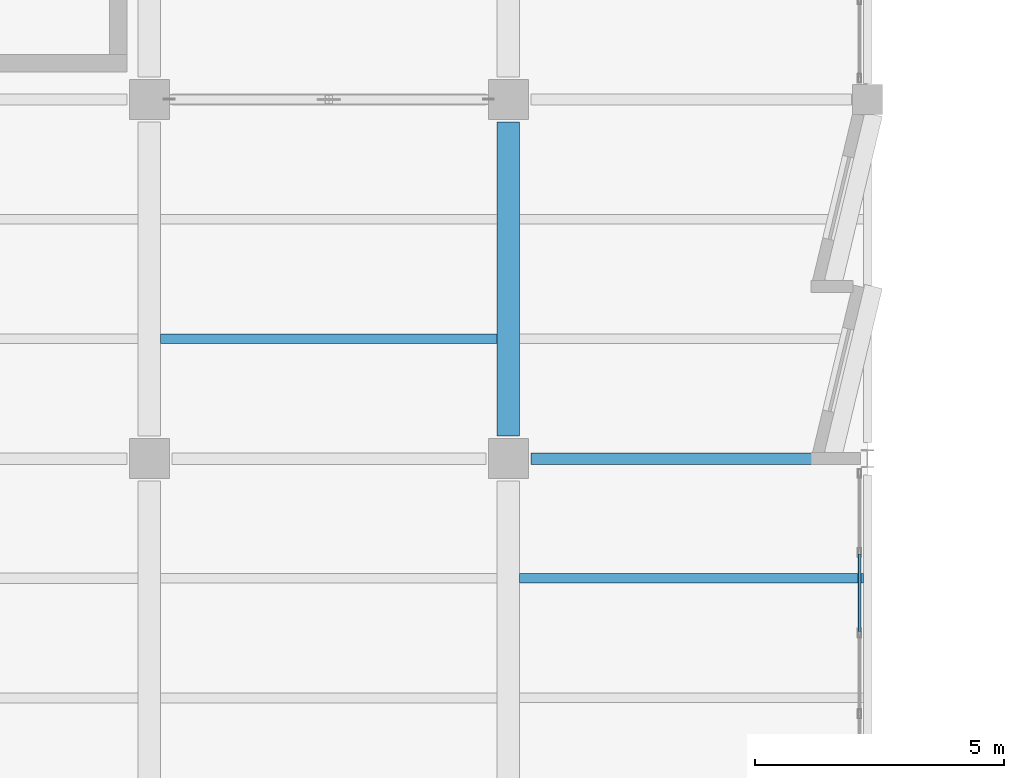
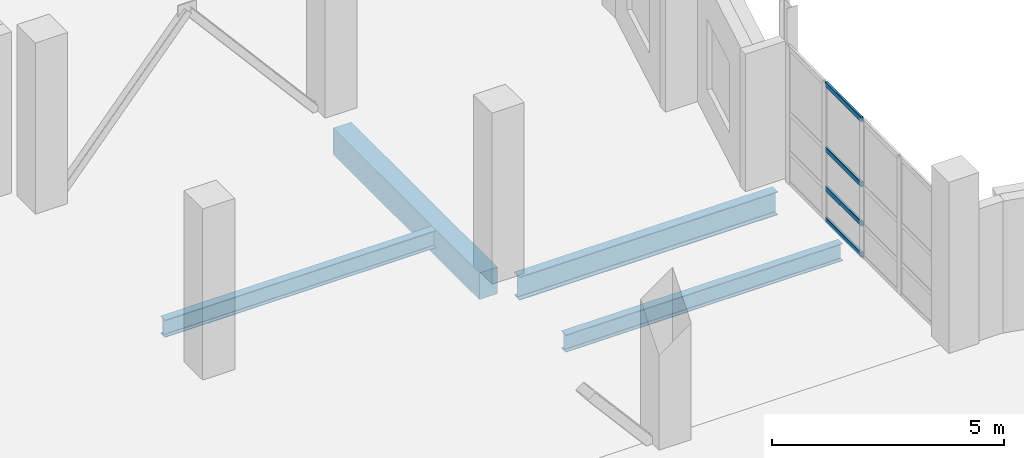
# One storey, part 29 of 123: 4 beams, 4 members, 1 element without a shape of its own.
"""IFC4 building model written with IfcOpenShell, lengths in metres."""

from ifc_helpers import new_model, si_unit, direction, frame, origin, origin_2d, place, context, subcontext, project, spatial, rectangle, hollow_rectangle, i_section, extrude, material, material_profile, profile_set, type_object, element, aggregate, save


model = new_model("IFC4")

# Units and contexts
model_context = context("Model", 3, precision=1e-05, world=origin(), true_north=direction((0.0, 1.0)))
body_context = subcontext(model_context, "Body", "Model", "MODEL_VIEW")
ifc_project = project(units=[si_unit("LENGTHUNIT", "METRE"), si_unit("AREAUNIT", "SQUARE_METRE"), si_unit("VOLUMEUNIT", "CUBIC_METRE"), si_unit("PLANEANGLEUNIT", "RADIAN"), si_unit("MASSUNIT", "GRAM", prefix="KILO")], contexts=[model_context])

# Site, building, storey
site_placement = place(None, origin())
site = spatial("IfcSite", under=ifc_project, at=site_placement, CompositionType="ELEMENT")
building_placement = place(site_placement, origin())
building = spatial("IfcBuilding", under=site, at=building_placement, Name="Kalmorath City Hall", CompositionType="ELEMENT")
storey_placement = place(building_placement, frame((0.0, 0.0, 10.199951171875)))
storey = spatial("IfcBuildingStorey", under=building, at=storey_placement, Name="L02", CompositionType="ELEMENT", Elevation=10.199951171875)

# Beam
ifc_material_1 = material(Name="Concrete C40/50", Category="concrete")
ifc_material_profile_1 = material_profile(ifc_material_1, rectangle(XDim=0.449951171875, YDim=0.699951171875, at=origin_2d()), Name="RC-BM-450X700")
ifc_profile_set_1 = profile_set([ifc_material_profile_1], Name="Concrete C40/50")
beam_type_1 = type_object("IfcBeamType", Name="Concrete floor beam 450x700", PredefinedType="BEAM", material=ifc_profile_set_1)
beam_1_placement = place(storey_placement, frame((21.60009765625, 43.64990234375, -0.634033203125), z_axis=(0.0, 1.0, 0.0), x_axis=(-1.0, 0.0, 0.0)))
element("IfcBeam", 1, at=beam_1_placement, inside=storey, type_object=beam_type_1, Name="L02 girder CB4 Y4/7-8", PredefinedType="BEAM", context=body_context, shape_type="SweptSolid", body=[
    extrude(rectangle(XDim=0.449951171875, YDim=0.699951171875, at=origin_2d()), origin(), (0.0, 0.0, 1.0), 6.300048828125),
])

# Curtain wall, members
ifc_material_2 = material(Name="Anodised aluminium and laminated glass", Category="aluminium")
curtain_wall_type = type_object("IfcCurtainWallType", Name="Unitised hurricane curtain wall 6468x3618 M1450", PredefinedType="NOTDEFINED", material=ifc_material_2)
curtain_wall_placement = place(storey_placement, origin())
curtain_wall = element("IfcCurtainWall", 2, at=curtain_wall_placement, inside=storey, type_object=curtain_wall_type, Name="L02 curtain wall CW-65X36M14 #142", PredefinedType="NOTDEFINED")
ifc_material_3 = material(Name="Anodised aluminium framing", Category="aluminium")
ifc_material_profile_2 = material_profile(ifc_material_3, hollow_rectangle(XDim=0.06005859375, YDim=0.1298828125, WallThickness=0.00341796875, InnerFilletRadius=0.00341796875, OuterFilletRadius=0.007080078125, at=origin_2d()), Name="ALU-TRN-130X60X3.5")
ifc_profile_set_2 = profile_set([ifc_material_profile_2], Name="Anodised aluminium framing")
member_type = type_object("IfcMemberType", Name="Curtain-wall courtyard transom 130x60", PredefinedType="USERDEFINED", material=ifc_profile_set_2)
member_1_placement = place(storey_placement, frame((28.639892578125, 41.283935546875, 0.030029296875), z_axis=(0.0, -1.0, 0.0), x_axis=(1.0, 0.0, 0.0)))
member_1 = element("IfcMember", 3, at=member_1_placement, type_object=member_type, Name="CW-65X36M14 transom 2.1", ObjectType="TRANSOM", PredefinedType="USERDEFINED", context=body_context, shape_type="SweptSolid", body=[
    extrude(hollow_rectangle(XDim=0.06005859375, YDim=0.1298828125, WallThickness=0.00341796875, InnerFilletRadius=0.00341796875, OuterFilletRadius=0.007080078125, at=origin_2d()), origin(), (0.0, 0.0, 1.0), 1.55224609375),
])
member_2_placement = place(storey_placement, frame((28.639892578125, 41.283935546875, 0.85009765625), z_axis=(0.0, -1.0, 0.0), x_axis=(1.0, 0.0, 0.0)))
member_2 = element("IfcMember", 4, at=member_2_placement, type_object=member_type, Name="CW-65X36M14 transom 2.2", ObjectType="TRANSOM", PredefinedType="USERDEFINED", context=body_context, shape_type="SweptSolid", body=[
    extrude(hollow_rectangle(XDim=0.06005859375, YDim=0.1298828125, WallThickness=0.00341796875, InnerFilletRadius=0.00341796875, OuterFilletRadius=0.007080078125, at=origin_2d()), origin(), (0.0, 0.0, 1.0), 1.55224609375),
])
member_3_placement = place(storey_placement, frame((28.639892578125, 41.283935546875, 1.881103515625), z_axis=(0.0, -1.0, 0.0), x_axis=(1.0, 0.0, 0.0)))
member_3 = element("IfcMember", 5, at=member_3_placement, type_object=member_type, Name="CW-65X36M14 transom 2.3", ObjectType="TRANSOM", PredefinedType="USERDEFINED", context=body_context, shape_type="SweptSolid", body=[
    extrude(hollow_rectangle(XDim=0.06005859375, YDim=0.1298828125, WallThickness=0.00341796875, InnerFilletRadius=0.00341796875, OuterFilletRadius=0.007080078125, at=origin_2d()), origin(), (0.0, 0.0, 1.0), 1.55224609375),
])
member_4_placement = place(storey_placement, frame((28.639892578125, 41.283935546875, 3.588134765625), z_axis=(0.0, -1.0, 0.0), x_axis=(1.0, 0.0, 0.0)))
member_4 = element("IfcMember", 6, at=member_4_placement, type_object=member_type, Name="CW-65X36M14 transom 2.4", ObjectType="TRANSOM", PredefinedType="USERDEFINED", context=body_context, shape_type="SweptSolid", body=[
    extrude(hollow_rectangle(XDim=0.06005859375, YDim=0.1298828125, WallThickness=0.00341796875, InnerFilletRadius=0.00341796875, OuterFilletRadius=0.007080078125, at=origin_2d()), origin(), (0.0, 0.0, 1.0), 1.55224609375),
])
aggregate(curtain_wall, [member_1, member_2, member_3, member_4])

# Beams
ifc_material_4 = material(Name="Steel ASTM A992 Grade 50", Category="steel")
ifc_material_profile_3 = material_profile(ifc_material_4, i_section(OverallWidth=0.19091796875, OverallDepth=0.4599609375, WebThickness=0.010009765625, FlangeThickness=0.01611328125, FilletRadius=0.013916015625, at=origin_2d()), Name="W18X55")
ifc_profile_set_3 = profile_set([ifc_material_profile_3], Name="Steel ASTM A992 Grade 50")
beam_type_2 = type_object("IfcBeamType", Name="Steel composite joist W18X55", PredefinedType="JOIST", material=ifc_profile_set_3)
beam_2_placement = place(storey_placement, frame((14.625, 45.60009765625, -0.513916015625), z_axis=(1.0, 0.0, 0.0), x_axis=(0.0, 1.0, 0.0)))
element("IfcBeam", 7, at=beam_2_placement, inside=storey, type_object=beam_type_2, Name="L02 joist SJ2 3.7.1", PredefinedType="JOIST", context=body_context, shape_type="SweptSolid", body=[
    extrude(i_section(OverallWidth=0.19091796875, OverallDepth=0.4599609375, WebThickness=0.010009765625, FlangeThickness=0.01611328125, FilletRadius=0.013916015625, at=origin_2d()), origin(), (0.0, 0.0, 1.0), 6.75),
])
beam_3_placement = place(storey_placement, frame((21.824951171875, 40.800048828125, -0.513916015625), z_axis=(1.0, 0.0, 0.0), x_axis=(0.0, 1.0, 0.0)))
element("IfcBeam", 8, at=beam_3_placement, inside=storey, type_object=beam_type_2, Name="L02 joist SJ2 4.6.2", PredefinedType="JOIST", context=body_context, shape_type="SweptSolid", body=[
    extrude(i_section(OverallWidth=0.19091796875, OverallDepth=0.4599609375, WebThickness=0.010009765625, FlangeThickness=0.01611328125, FilletRadius=0.013916015625, at=origin_2d()), origin(), (0.0, 0.0, 1.0), 6.892578125),
])
ifc_material_5 = material(Name="Steel ASTM A992 Grade 50", Category="steel")
ifc_material_profile_4 = material_profile(ifc_material_5, i_section(OverallWidth=0.22900390625, OverallDepth=0.612060546875, WebThickness=0.011962890625, FlangeThickness=0.01953125, FilletRadius=0.01611328125, at=origin_2d()), Name="W24X84")
ifc_profile_set_4 = profile_set([ifc_material_profile_4], Name="Steel ASTM A992 Grade 50")
beam_type_3 = type_object("IfcBeamType", Name="Steel floor girder W24X84", PredefinedType="BEAM", material=ifc_profile_set_4)
beam_4_placement = place(storey_placement, frame((22.050048828125, 43.199951171875, -0.58984375), z_axis=(1.0, 0.0, 0.0), x_axis=(0.0, 1.0, 0.0)))
element("IfcBeam", 9, at=beam_4_placement, inside=storey, type_object=beam_type_3, Name="L02 girder SG8 X4-5/7", PredefinedType="BEAM", context=body_context, shape_type="SweptSolid", body=[
    extrude(i_section(OverallWidth=0.22900390625, OverallDepth=0.612060546875, WebThickness=0.011962890625, FlangeThickness=0.01953125, FilletRadius=0.01611328125, at=origin_2d()), origin(), (0.0, 0.0, 1.0), 6.425048828125),
])

save(model, "model.ifc")
